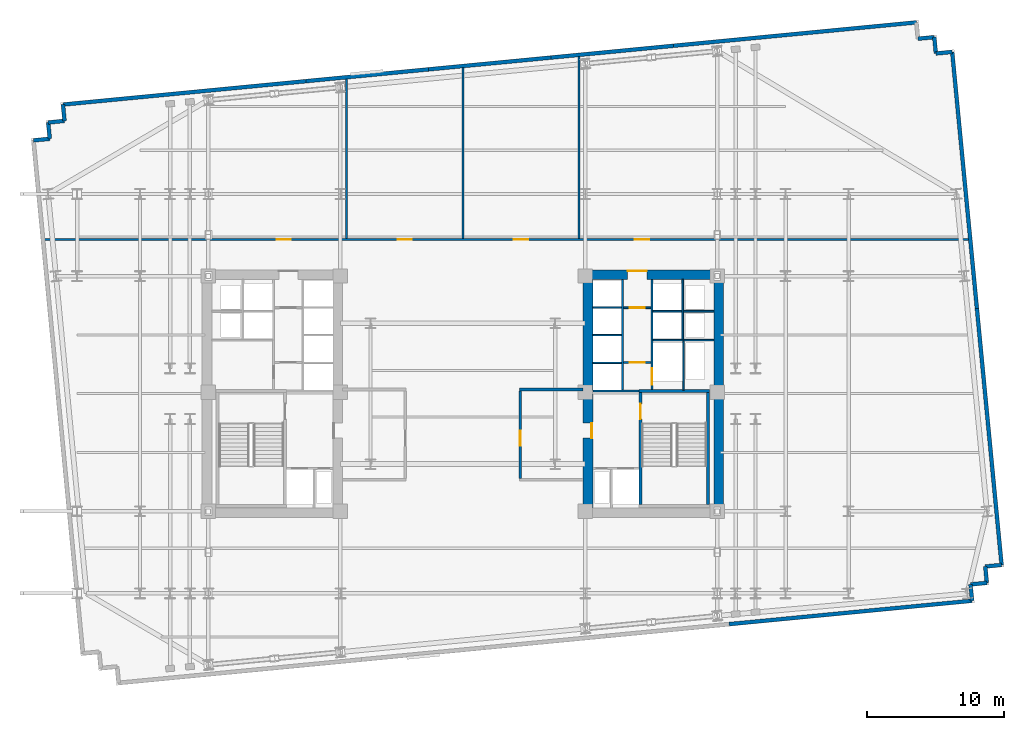
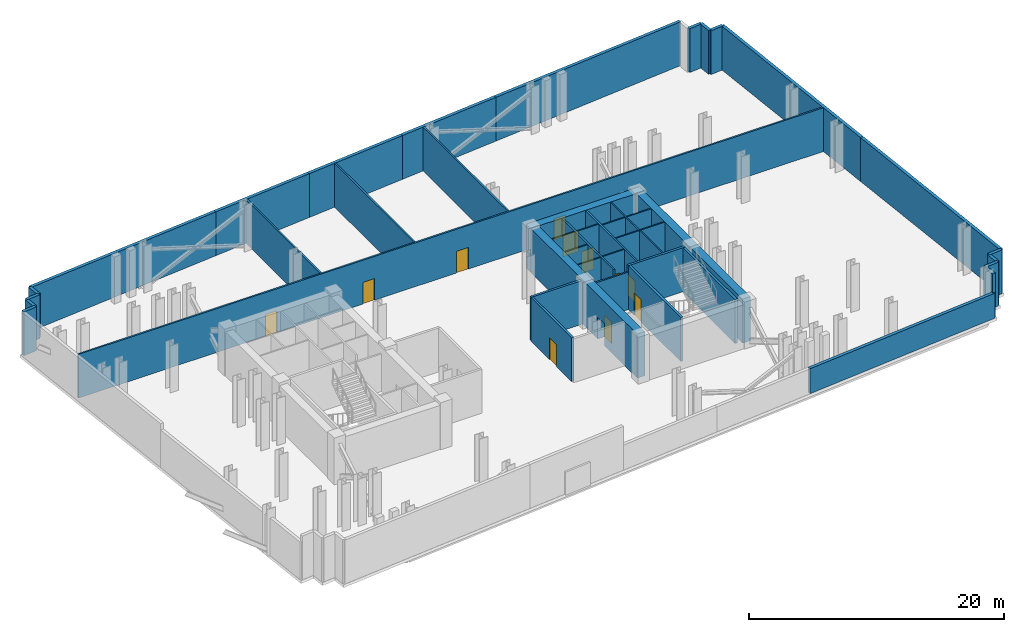
# One storey, part 6 of 9: 44 walls, 11 doors, 11 openings.
"""IFC4 building model written with IfcOpenShell, lengths in metres."""

from ifc_helpers import new_model, si_unit, direction, frame, frame_2d, origin, place, context, subcontext, project, spatial, rectangle, extrude, material, layer, layer_set, type_object, element, fill, save


model = new_model("IFC4")

# Units and contexts
model_context = context("Model", 3, precision=1e-05, world=origin(), true_north=direction((0.0, 1.0)))
body_context = subcontext(model_context, "Body", "Model", "MODEL_VIEW")
ifc_project = project(units=[si_unit("LENGTHUNIT", "METRE"), si_unit("AREAUNIT", "SQUARE_METRE"), si_unit("VOLUMEUNIT", "CUBIC_METRE"), si_unit("PLANEANGLEUNIT", "RADIAN"), si_unit("MASSUNIT", "GRAM", prefix="KILO")], contexts=[model_context])

# Site, building, storey
site_placement = place(None, origin())
site = spatial("IfcSite", under=ifc_project, at=site_placement, CompositionType="ELEMENT")
building_placement = place(site_placement, origin())
building = spatial("IfcBuilding", under=site, at=building_placement, Name="Velakula Bourse", CompositionType="ELEMENT")
storey_placement = place(building_placement, frame((0.0, 0.0, 112.14990234375)))
storey = spatial("IfcBuildingStorey", under=building, at=storey_placement, Name="L30", CompositionType="ELEMENT", Elevation=112.14990234375)

# Wall, opening, door
ifc_material_1 = material(Name="Concrete M50 (fck 50 MPa)", Category="concrete")
ifc_layer_1 = layer(ifc_material_1, 0.2099609375, Name="Concrete M50 (fck 50 MPa)", Category="concrete")
ifc_layer_set_1 = layer_set([ifc_layer_1], Name="Concrete M50 (fck 50 MPa)")
wall_type_1 = type_object("IfcWallType", Name="WL-CORE-210", PredefinedType="SHEAR", material=ifc_layer_set_1)
wall_1_placement = place(storey_placement, frame((12.9951171875, -8.10009765625, 0.0), z_axis=(0.0, 0.0, 1.0), x_axis=(0.0, 1.0, 0.0)))
wall_1 = element("IfcWall", 1, at=wall_1_placement, inside=storey, type_object=wall_type_1, Name="L30 Core E Stairwell Shear Wall IN", PredefinedType="SHEAR", context=body_context, shape_type="SweptSolid", body=[
    extrude(rectangle(XDim=8.2001953125, YDim=0.2099609375, at=frame_2d((4.10009765625, 0.0))), origin(), (0.0, 0.0, 1.0), 4.22021484375),
])
opening_1_placement = place(wall_1_placement, frame((6.25, 0.0, 0.0)))
opening_1 = element("IfcOpeningElement", 2, at=opening_1_placement, cuts=wall_1, Name="Opening D-STE1", PredefinedType="OPENING", context=body_context, shape_type="SweptSolid", body=[
    extrude(rectangle(XDim=1.10009765625, YDim=2.14990234375, at=frame_2d((0.550048828125, 1.074951171875))), frame((0.0, 0.114990234375, 0.0), z_axis=(0.0, -1.0, 0.0), x_axis=(1.0, 0.0, 0.0)), (0.0, 0.0, 1.0), 0.22998046875),
])
ifc_material_2 = material(Name="Galvanised painted hollow steel fire door", Category="steel")
door_type_1 = type_object("IfcDoorType", Name="DR-FD120-1100x2150", OperationType="NOTDEFINED", PredefinedType="DOOR", material=ifc_material_2)
door_1_placement = place(opening_1_placement, origin())
door_1 = element("IfcDoor", 3, at=door_1_placement, inside=storey, type_object=door_type_1, Name="L30 Stair ST-E1 Fire Door", OperationType="SINGLE_SWING_RIGHT", OverallHeight=2.14990234375, OverallWidth=1.10009765625, PredefinedType="DOOR", context=body_context, shape_type="SweptSolid", body=[
    extrude(rectangle(XDim=1.10009765625, YDim=2.14990234375, at=frame_2d((0.550048828125, 1.074951171875))), frame((0.0, 0.02490234375, 0.0), z_axis=(0.0, -1.0, 0.0), x_axis=(1.0, 0.0, 0.0)), (0.0, 0.0, 1.0), 0.050048828125),
])
fill(opening_1, door_1)

# Walls
wall_2_placement = place(storey_placement, frame((17.925048828125, -8.10009765625, 0.0), z_axis=(0.0, 0.0, 1.0), x_axis=(0.0, 1.0, 0.0)))
element("IfcWall", 4, at=wall_2_placement, inside=storey, type_object=wall_type_1, Name="L30 Core E Stairwell Shear Wall OUT", PredefinedType="SHEAR", context=body_context, shape_type="SweptSolid", body=[
    extrude(rectangle(XDim=8.2001953125, YDim=0.2099609375, at=frame_2d((4.10009765625, 0.0))), origin(), (0.0, 0.0, 1.0), 4.22021484375),
])
wall_3_placement = place(storey_placement, frame((18.030029296875, 0.205078125, 0.0), z_axis=(0.0, 0.0, 1.0), x_axis=(-1.0, 0.0, 0.0)))
element("IfcWall", 5, at=wall_3_placement, inside=storey, type_object=wall_type_1, Name="L30 Core E Stairwell Shear Wall N", PredefinedType="SHEAR", context=body_context, shape_type="SweptSolid", body=[
    extrude(rectangle(XDim=5.14013671875, YDim=0.2099609375, at=frame_2d((2.570068359375, 0.0))), origin(), (0.0, 0.0, 1.0), 4.22021484375),
])

# Wall, opening, door
ifc_material_3 = material(Name="Concrete M70 (fck 70 MPa)", Category="concrete")
ifc_layer_2 = layer(ifc_material_3, 0.699951171875, Name="Concrete M70 (fck 70 MPa)", Category="concrete")
ifc_layer_set_2 = layer_set([ifc_layer_2], Name="Concrete M70 (fck 70 MPa)")
wall_type_2 = type_object("IfcWallType", Name="WL-CORE-700", PredefinedType="SHEAR", material=ifc_layer_set_2)
wall_4_placement = place(storey_placement, frame((8.800048828125, 8.699951171875, 0.0), z_axis=(0.0, 0.0, 1.0), x_axis=(1.0, 0.0, 0.0)))
wall_4 = element("IfcWall", 6, at=wall_4_placement, inside=storey, type_object=wall_type_2, Name="L30 Core E Shear Wall N", PredefinedType="SHEAR", context=body_context, shape_type="SweptSolid", body=[
    extrude(rectangle(XDim=10.25, YDim=0.699951171875, at=frame_2d((5.125, 0.0))), origin(), (0.0, 0.0, 1.0), 4.22021484375),
])
opening_2_placement = place(wall_4_placement, frame((3.25, 0.0, 0.0)))
opening_2 = element("IfcOpeningElement", 7, at=opening_2_placement, cuts=wall_4, Name="Opening D-LLE", PredefinedType="OPENING", context=body_context, shape_type="SweptSolid", body=[
    extrude(rectangle(XDim=1.39990234375, YDim=2.050048828125, at=frame_2d((0.699951171875, 1.02490234375))), frame((0.0, 0.35986328125, 0.0), z_axis=(0.0, -1.0, 0.0), x_axis=(1.0, 0.0, 0.0)), (0.0, 0.0, 1.0), 0.719970703125),
])
ifc_material_4 = material(Name="Fire-rated hardwood flush architectural door", Category="wood")
door_type_2 = type_object("IfcDoorType", Name="DR-DBL-FD60-1400", OperationType="DOUBLE_DOOR_SINGLE_SWING", PredefinedType="DOOR", material=ifc_material_4)
door_2_placement = place(opening_2_placement, origin())
door_2 = element("IfcDoor", 8, at=door_2_placement, inside=storey, type_object=door_type_2, Name="L30 Core E Lift Lobby Corridor Double Door", OperationType="DOUBLE_DOOR_SINGLE_SWING", OverallHeight=2.050048828125, OverallWidth=1.39990234375, PredefinedType="DOOR", context=body_context, shape_type="SweptSolid", body=[
    extrude(rectangle(XDim=1.39990234375, YDim=2.050048828125, at=frame_2d((0.699951171875, 1.02490234375))), frame((0.0, 0.294921875, 0.0), z_axis=(0.0, -1.0, 0.0), x_axis=(1.0, 0.0, 0.0)), (0.0, 0.0, 1.0), 0.050048828125),
])
fill(opening_2, door_2)

wall_5_placement = place(storey_placement, frame((9.14990234375, -8.35009765625, 0.0), z_axis=(0.0, 0.0, 1.0), x_axis=(0.0, 1.0, 0.0)))
wall_5 = element("IfcWall", 9, at=wall_5_placement, inside=storey, type_object=wall_type_2, Name="L30 Core E Shear Wall W", PredefinedType="SHEAR", context=body_context, shape_type="SweptSolid", body=[
    extrude(rectangle(XDim=16.7001953125, YDim=0.699951171875, at=frame_2d((8.35009765625, 0.0))), origin(), (0.0, 0.0, 1.0), 4.22021484375),
])
opening_3_placement = place(wall_5_placement, frame((5.10009765625, 0.0, 0.0)))
opening_3 = element("IfcOpeningElement", 10, at=opening_3_placement, cuts=wall_5, Name="Opening D-FLE", PredefinedType="OPENING", context=body_context, shape_type="SweptSolid", body=[
    extrude(rectangle(XDim=1.10009765625, YDim=2.080078125, at=frame_2d((0.550048828125, 1.0400390625))), frame((0.0, 0.35986328125, 0.0), z_axis=(0.0, -1.0, 0.0), x_axis=(1.0, 0.0, 0.0)), (0.0, 0.0, 1.0), 0.719970703125),
])
door_type_3 = type_object("IfcDoorType", Name="DR-FD120-1100", OperationType="NOTDEFINED", PredefinedType="DOOR", material=ifc_material_2)
door_3_placement = place(opening_3_placement, origin())
door_3 = element("IfcDoor", 11, at=door_3_placement, inside=storey, type_object=door_type_3, Name="L30 Firefighting Lobby E Corridor Fire Door", OperationType="SINGLE_SWING_RIGHT", OverallHeight=2.080078125, OverallWidth=1.10009765625, PredefinedType="DOOR", context=body_context, shape_type="SweptSolid", body=[
    extrude(rectangle(XDim=1.10009765625, YDim=2.080078125, at=frame_2d((0.550048828125, 1.0400390625))), frame((0.0, -0.2548828125, 0.0), z_axis=(0.0, -1.0, 0.0), x_axis=(1.0, 0.0, 0.0)), (0.0, 0.0, 1.0), 0.050048828125),
])
fill(opening_3, door_3)

# Walls
wall_6_placement = place(storey_placement, frame((18.699951171875, -8.35009765625, 0.0), z_axis=(0.0, 0.0, 1.0), x_axis=(0.0, 1.0, 0.0)))
element("IfcWall", 12, at=wall_6_placement, inside=storey, type_object=wall_type_2, Name="L30 Core E Shear Wall E", PredefinedType="SHEAR", context=body_context, shape_type="SweptSolid", body=[
    extrude(rectangle(XDim=16.7001953125, YDim=0.699951171875, at=frame_2d((8.35009765625, 0.0))), origin(), (0.0, 0.0, 1.0), 4.22021484375),
])
ifc_material_5 = material(Name="Red kilned clay facing brick masonry", Category="masonry")
ifc_layer_3 = layer(ifc_material_5, 0.280029296875, Name="Red kilned clay facing brick masonry", Category="masonry")
ifc_layer_set_3 = layer_set([ifc_layer_3], Name="Red kilned clay facing brick masonry")
wall_type_3 = type_object("IfcWallType", Name="WL-EXT-BRK-280", PredefinedType="STANDARD", material=ifc_layer_set_3)
wall_7_placement = place(storey_placement, frame((37.2314453125, -15.138427734375, 0.0), z_axis=(0.0, 0.0, 1.0), x_axis=(-0.995395780835, -0.095850088663, 0.0)))
element("IfcWall", 13, at=wall_7_placement, inside=storey, type_object=wall_type_3, Name="L30 S Brick Spandrel Wall B5", PredefinedType="STANDARD", context=body_context, shape_type="SweptSolid", body=[
    extrude(rectangle(XDim=17.83984375, YDim=0.280029296875, at=frame_2d((8.919921875, 0.0))), origin(), (0.0, 0.0, 1.0), 2.39501953125),
])
wall_8_placement = place(storey_placement, frame((-29.2314453125, 21.138427734375, 0.0), z_axis=(0.0, 0.0, 1.0), x_axis=(0.995395780835, 0.095850088663, 0.0)))
element("IfcWall", 14, at=wall_8_placement, inside=storey, type_object=wall_type_3, Name="L30 N Brick Spandrel Wall B1", PredefinedType="STANDARD", context=body_context, shape_type="SweptSolid", body=[
    extrude(rectangle(XDim=17.83984375, YDim=0.280029296875, at=frame_2d((8.919921875, 0.0))), origin(), (0.0, 0.0, 1.0), 4.2001953125),
])
wall_9_placement = place(storey_placement, frame((-11.4736328125, 22.848388671875, 0.0), z_axis=(0.0, 0.0, 1.0), x_axis=(0.995396794462, 0.09583956164, 0.0)))
element("IfcWall", 15, at=wall_9_placement, inside=storey, type_object=wall_type_3, Name="L30 N Brick Spandrel Wall B2", PredefinedType="STANDARD", context=body_context, shape_type="SweptSolid", body=[
    extrude(rectangle(XDim=9.0, YDim=0.280029296875, at=frame_2d((4.5, 0.0))), origin(), (0.0, 0.0, 1.0), 4.2001953125),
])
wall_10_placement = place(storey_placement, frame((-2.51513671875, 23.7109375, 0.0), z_axis=(0.0, 0.0, 1.0), x_axis=(0.995397043619, 0.095836973841, 0.0)))
element("IfcWall", 16, at=wall_10_placement, inside=storey, type_object=wall_type_3, Name="L30 N Brick Spandrel Wall B3", PredefinedType="STANDARD", context=body_context, shape_type="SweptSolid", body=[
    extrude(rectangle(XDim=9.000244140625, YDim=0.280029296875, at=frame_2d((4.5, 0.0))), origin(), (0.0, 0.0, 1.0), 4.2001953125),
])
wall_11_placement = place(storey_placement, frame((6.443603515625, 24.573486328125, 0.0), z_axis=(0.0, 0.0, 1.0), x_axis=(0.995396794462, 0.09583956164, 0.0)))
element("IfcWall", 17, at=wall_11_placement, inside=storey, type_object=wall_type_3, Name="L30 N Brick Spandrel Wall B4", PredefinedType="STANDARD", context=body_context, shape_type="SweptSolid", body=[
    extrude(rectangle(XDim=9.0, YDim=0.280029296875, at=frame_2d((4.5, 0.0))), origin(), (0.0, 0.0, 1.0), 4.2001953125),
])
wall_12_placement = place(storey_placement, frame((15.402099609375, 25.43603515625, 0.0), z_axis=(0.0, 0.0, 1.0), x_axis=(0.995395780835, 0.095850088663, 0.0)))
element("IfcWall", 18, at=wall_12_placement, inside=storey, type_object=wall_type_3, Name="L30 N Brick Spandrel Wall B5", PredefinedType="STANDARD", context=body_context, shape_type="SweptSolid", body=[
    extrude(rectangle(XDim=17.83984375, YDim=0.280029296875, at=frame_2d((8.919921875, 0.0))), origin(), (0.0, 0.0, 1.0), 4.2001953125),
])
wall_13_placement = place(storey_placement, frame((37.584716796875, 6.23388671875, 0.0), z_axis=(0.0, 0.0, 1.0), x_axis=(0.095841297881, -0.99539662729, 0.0)))
element("IfcWall", 19, at=wall_13_placement, inside=storey, type_object=wall_type_3, Name="L30 E Brick End Wall W1", PredefinedType="STANDARD", context=body_context, shape_type="SweptSolid", body=[
    extrude(rectangle(XDim=18.840087890625, YDim=0.280029296875, at=frame_2d((9.419921875, 0.0))), origin(), (0.0, 0.0, 1.0), 4.2001953125),
])
wall_14_placement = place(storey_placement, frame((35.779052734375, 24.987060546875, 0.0), z_axis=(0.0, 0.0, 1.0), x_axis=(0.095842534142, -0.995396508256, 0.0)))
element("IfcWall", 20, at=wall_14_placement, inside=storey, type_object=wall_type_3, Name="L30 E Brick End Wall W2", PredefinedType="STANDARD", context=body_context, shape_type="SweptSolid", body=[
    extrude(rectangle(XDim=18.83984375, YDim=0.280029296875, at=frame_2d((9.419921875, 0.0))), origin(), (0.0, 0.0, 1.0), 4.2001953125),
])
for number, where, z_axis, x_axis, name in (
    (21, (37.2314453125, -15.138427734375, 0.0), (0.0, 0.0, 1.0), (-0.095817067274, 0.995398960025, 0.0), "L30 Serrated Corner Brick Wall SE-1"),
    (22, (37.116455078125, -13.94384765625, 0.0), (0.0, 0.0, 1.0), (0.995398960025, 0.095817067274, 0.0), "L30 Serrated Corner Brick Wall SE-2"),
):
    element("IfcWall", number, at=place(storey_placement, frame(where, z_axis=z_axis, x_axis=x_axis)), inside=storey, type_object=wall_type_3, Name=name, PredefinedType="STANDARD", context=body_context, shape_type="SweptSolid", body=[
        extrude(rectangle(XDim=1.2001953125, YDim=0.280029296875, at=frame_2d((0.60009765625, 0.0))), origin(), (0.0, 0.0, 1.0), 4.2001953125),
    ])
for number, where, z_axis, x_axis, name in (
    (23, (38.31103515625, -13.828857421875, 0.0), (0.0, 0.0, 1.0), (-0.095836473879, 0.995397091755, 0.0), "L30 Serrated Corner Brick Wall SE-3"),
    (24, (38.196044921875, -12.634521484375, 0.0), (0.0, 0.0, 1.0), (0.995397091755, 0.095836473879, 0.0), "L30 Serrated Corner Brick Wall SE-4"),
):
    element("IfcWall", number, at=place(storey_placement, frame(where, z_axis=z_axis, x_axis=x_axis)), inside=storey, type_object=wall_type_3, Name=name, PredefinedType="STANDARD", context=body_context, shape_type="SweptSolid", body=[
        extrude(rectangle(XDim=1.199951171875, YDim=0.280029296875, at=frame_2d((0.60009765625, 0.0))), origin(), (0.0, 0.0, 1.0), 4.2001953125),
    ])
for number, where, z_axis, x_axis, name in (
    (25, (35.779052734375, 24.987060546875, 0.0), (0.0, 0.0, 1.0), (-0.995398960025, -0.095817067274, 0.0), "L30 Serrated Corner Brick Wall NE-1"),
    (26, (34.58447265625, 24.8720703125, 0.0), (0.0, 0.0, 1.0), (-0.095817067274, 0.995398960025, 0.0), "L30 Serrated Corner Brick Wall NE-2"),
    (27, (34.469482421875, 26.066650390625, 0.0), (0.0, 0.0, 1.0), (-0.995398960025, -0.095817067274, 0.0), "L30 Serrated Corner Brick Wall NE-3"),
    (28, (-29.2314453125, 21.138427734375, 0.0), (0.0, 0.0, 1.0), (0.095817067274, -0.995398960025, 0.0), "L30 Serrated Corner Brick Wall NW-1"),
    (29, (-29.116455078125, 19.94384765625, 0.0), (0.0, 0.0, 1.0), (-0.995398960025, -0.095817067274, 0.0), "L30 Serrated Corner Brick Wall NW-2"),
):
    element("IfcWall", number, at=place(storey_placement, frame(where, z_axis=z_axis, x_axis=x_axis)), inside=storey, type_object=wall_type_3, Name=name, PredefinedType="STANDARD", context=body_context, shape_type="SweptSolid", body=[
        extrude(rectangle(XDim=1.2001953125, YDim=0.280029296875, at=frame_2d((0.60009765625, 0.0))), origin(), (0.0, 0.0, 1.0), 4.2001953125),
    ])
for number, where, z_axis, x_axis, name in (
    (30, (-30.31103515625, 19.828857421875, 0.0), (0.0, 0.0, 1.0), (0.095836473879, -0.995397091755, 0.0), "L30 Serrated Corner Brick Wall NW-3"),
    (31, (-30.196044921875, 18.634521484375, 0.0), (0.0, 0.0, 1.0), (-0.995397091755, -0.095836473879, 0.0), "L30 Serrated Corner Brick Wall NW-4"),
):
    element("IfcWall", number, at=place(storey_placement, frame(where, z_axis=z_axis, x_axis=x_axis)), inside=storey, type_object=wall_type_3, Name=name, PredefinedType="STANDARD", context=body_context, shape_type="SweptSolid", body=[
        extrude(rectangle(XDim=1.199951171875, YDim=0.280029296875, at=frame_2d((0.60009765625, 0.0))), origin(), (0.0, 0.0, 1.0), 4.2001953125),
    ])

# Wall, opening, door
ifc_material_6 = material(Name="Fire-rated double-layer gypsum drywall partition", Category="gypsum")
ifc_layer_4 = layer(ifc_material_6, 0.1201171875, Name="Fire-rated double-layer gypsum drywall partition", Category="gypsum")
ifc_layer_set_4 = layer_set([ifc_layer_4], Name="Fire-rated double-layer gypsum drywall partition")
wall_type_4 = type_object("IfcWallType", Name="WL-PART-120", PredefinedType="STANDARD", material=ifc_layer_set_4)
wall_15_placement = place(storey_placement, frame((11.75, 2.280029296875, 0.0), z_axis=(0.0, 0.0, 1.0), x_axis=(1.0, 0.0, 0.0)))
wall_15 = element("IfcWall", 32, at=wall_15_placement, inside=storey, type_object=wall_type_4, Name="L30 Interior Partition WL-CRE-L30-LL-K3A", PredefinedType="STANDARD", context=body_context, shape_type="SweptSolid", body=[
    extrude(rectangle(XDim=2.0, YDim=0.1201171875, at=frame_2d((1.0, 0.0))), origin(), (0.0, 0.0, 1.0), 4.2001953125),
])
opening_4_placement = place(wall_15_placement, frame((0.449951171875, 0.0, 0.0)))
opening_4 = element("IfcOpeningElement", 33, at=opening_4_placement, cuts=wall_15, Name="Opening D-LK3", PredefinedType="OPENING", context=body_context, shape_type="SweptSolid", body=[
    extrude(rectangle(XDim=1.10009765625, YDim=2.10009765625, at=frame_2d((0.550048828125, 1.050048828125))), frame((0.0, 0.070068359375, 0.0), z_axis=(0.0, -1.0, 0.0), x_axis=(1.0, 0.0, 0.0)), (0.0, 0.0, 1.0), 0.14013671875),
])
door_type_4 = type_object("IfcDoorType", Name="DR-FD60-1100x2100", OperationType="NOTDEFINED", PredefinedType="DOOR", material=ifc_material_4)
door_4_placement = place(opening_4_placement, origin())
door_4 = element("IfcDoor", 34, at=door_4_placement, inside=storey, type_object=door_type_4, Name="L30 Core E Lift Lobby Vestibule Door A", OperationType="SINGLE_SWING_RIGHT", OverallHeight=2.10009765625, OverallWidth=1.10009765625, PredefinedType="DOOR", context=body_context, shape_type="SweptSolid", body=[
    extrude(rectangle(XDim=1.10009765625, YDim=2.10009765625, at=frame_2d((0.550048828125, 1.050048828125))), frame((0.0, 0.02490234375, 0.0), z_axis=(0.0, -1.0, 0.0), x_axis=(1.0, 0.0, 0.0)), (0.0, 0.0, 1.0), 0.050048828125),
])
fill(opening_4, door_4)

wall_16_placement = place(storey_placement, frame((11.75, 6.280029296875, 0.0), z_axis=(0.0, 0.0, 1.0), x_axis=(1.0, 0.0, 0.0)))
wall_16 = element("IfcWall", 35, at=wall_16_placement, inside=storey, type_object=wall_type_4, Name="L30 Interior Partition WL-CRE-L30-LL-K3B", PredefinedType="STANDARD", context=body_context, shape_type="SweptSolid", body=[
    extrude(rectangle(XDim=2.0, YDim=0.1201171875, at=frame_2d((1.0, 0.0))), origin(), (0.0, 0.0, 1.0), 4.2001953125),
])
opening_5_placement = place(wall_16_placement, frame((0.449951171875, 0.0, 0.0)))
opening_5 = element("IfcOpeningElement", 36, at=opening_5_placement, cuts=wall_16, Name="Opening D-LK3", PredefinedType="OPENING", context=body_context, shape_type="SweptSolid", body=[
    extrude(rectangle(XDim=1.10009765625, YDim=2.10009765625, at=frame_2d((0.550048828125, 1.050048828125))), frame((0.0, 0.070068359375, 0.0), z_axis=(0.0, -1.0, 0.0), x_axis=(1.0, 0.0, 0.0)), (0.0, 0.0, 1.0), 0.14013671875),
])
door_5_placement = place(opening_5_placement, origin())
door_5 = element("IfcDoor", 37, at=door_5_placement, inside=storey, type_object=door_type_4, Name="L30 Core E Lift Lobby Vestibule Door B", OperationType="SINGLE_SWING_RIGHT", OverallHeight=2.10009765625, OverallWidth=1.10009765625, PredefinedType="DOOR", context=body_context, shape_type="SweptSolid", body=[
    extrude(rectangle(XDim=1.10009765625, YDim=2.10009765625, at=frame_2d((0.550048828125, 1.050048828125))), frame((0.0, 0.02490234375, 0.0), z_axis=(0.0, -1.0, 0.0), x_axis=(1.0, 0.0, 0.0)), (0.0, 0.0, 1.0), 0.050048828125),
])
fill(opening_5, door_5)

# Walls
for number, where, z_axis, x_axis, name in (
    (38, (9.5, 2.2548828125, 0.0), (0.0, 0.0, 1.0), (1.0, 0.0, 0.0), "L30 Interior Partition WL-CRE-L30-BDIV-0"),
    (39, (9.5, 4.284912109375, 0.0), (0.0, 0.0, 1.0), (1.0, 0.0, 0.0), "L30 Interior Partition WL-CRE-L30-BDIV-1"),
    (40, (9.5, 6.31494140625, 0.0), (0.0, 0.0, 1.0), (1.0, 0.0, 0.0), "L30 Interior Partition WL-CRE-L30-BDIV-2"),
):
    element("IfcWall", number, at=place(storey_placement, frame(where, z_axis=z_axis, x_axis=x_axis)), inside=storey, type_object=wall_type_4, Name=name, PredefinedType="STANDARD", context=body_context, shape_type="SweptSolid", body=[
        extrude(rectangle(XDim=2.10009765625, YDim=0.110107421875, at=frame_2d((1.050048828125, 0.0))), origin(), (0.0, 0.0, 1.0), 4.2001953125),
    ])
wall_17_placement = place(storey_placement, frame((13.89990234375, 3.919921875, 0.0), z_axis=(0.0, 0.0, 1.0), x_axis=(1.0, 0.0, 0.0)))
element("IfcWall", 41, at=wall_17_placement, inside=storey, type_object=wall_type_4, Name="L30 Interior Partition WL-CRE-L30-HI-S", PredefinedType="STANDARD", context=body_context, shape_type="SweptSolid", body=[
    extrude(rectangle(XDim=4.4501953125, YDim=0.1201171875, at=frame_2d((2.22509765625, 0.0))), origin(), (0.0, 0.0, 1.0), 4.2001953125),
])
wall_18_placement = place(storey_placement, frame((16.14990234375, 6.030029296875, 0.0), z_axis=(0.0, 0.0, 1.0), x_axis=(1.0, 0.0, 0.0)))
element("IfcWall", 42, at=wall_18_placement, inside=storey, type_object=wall_type_4, Name="L30 Interior Partition WL-CRE-L30-RIS-MID", PredefinedType="STANDARD", context=body_context, shape_type="SweptSolid", body=[
    extrude(rectangle(XDim=2.2001953125, YDim=0.1201171875, at=frame_2d((1.10009765625, 0.0))), origin(), (0.0, 0.0, 1.0), 4.2001953125),
])
wall_19_placement = place(storey_placement, frame((16.074951171875, 3.97998046875, 0.0), z_axis=(0.0, 0.0, 1.0), x_axis=(0.0, 1.0, 0.0)))
element("IfcWall", 43, at=wall_19_placement, inside=storey, type_object=wall_type_4, Name="L30 Interior Partition WL-CRE-L30-RIS-F", PredefinedType="STANDARD", context=body_context, shape_type="SweptSolid", body=[
    extrude(rectangle(XDim=4.3701171875, YDim=0.1201171875, at=frame_2d((2.18505859375, 0.0))), origin(), (0.0, 0.0, 1.0), 4.2001953125),
])
wall_20_placement = place(storey_placement, frame((13.89990234375, 6.030029296875, 0.0), z_axis=(0.0, 0.0, 1.0), x_axis=(1.0, 0.0, 0.0)))
element("IfcWall", 44, at=wall_20_placement, inside=storey, type_object=wall_type_4, Name="L30 Interior Partition WL-CRE-L30-HI-DIV", PredefinedType="STANDARD", context=body_context, shape_type="SweptSolid", body=[
    extrude(rectangle(XDim=2.10009765625, YDim=0.1201171875, at=frame_2d((1.050048828125, 0.0))), origin(), (0.0, 0.0, 1.0), 4.2001953125),
])
wall_21_placement = place(storey_placement, frame((16.125, 0.27001953125, 0.0), z_axis=(0.0, 0.0, 1.0), x_axis=(0.0, 1.0, 0.0)))
element("IfcWall", 45, at=wall_21_placement, inside=storey, type_object=wall_type_4, Name="L30 Interior Partition WL-CRE-L30-SVL-E", PredefinedType="STANDARD", context=body_context, shape_type="SweptSolid", body=[
    extrude(rectangle(XDim=3.590087890625, YDim=0.1201171875, at=frame_2d((1.794921875, 0.0))), origin(), (0.0, 0.0, 1.0), 4.2001953125),
])
ifc_material_7 = material(Name="Autoclaved aerated concrete blockwork masonry", Category="masonry")
ifc_layer_5 = layer(ifc_material_7, 0.14990234375, Name="Autoclaved aerated concrete blockwork masonry", Category="masonry")
ifc_layer_set_5 = layer_set([ifc_layer_5], Name="Autoclaved aerated concrete blockwork masonry")
wall_type_5 = type_object("IfcWallType", Name="WL-SHAFT-150", PredefinedType="STANDARD", material=ifc_layer_set_5)
wall_22_placement = place(storey_placement, frame((9.5, 0.18994140625, 0.0), z_axis=(0.0, 0.0, 1.0), x_axis=(1.0, 0.0, 0.0)))
element("IfcWall", 46, at=wall_22_placement, inside=storey, type_object=wall_type_5, Name="L30 Interior Partition WL-CRE-L30-FF-TOP", PredefinedType="STANDARD", context=body_context, shape_type="SweptSolid", body=[
    extrude(rectangle(XDim=3.389892578125, YDim=0.14990234375, at=frame_2d((1.69482421875, 0.0))), origin(), (0.0, 0.0, 1.0), 3.59521484375),
])
wall_23_placement = place(storey_placement, frame((11.675048828125, 0.27001953125, 0.0), z_axis=(0.0, 0.0, 1.0), x_axis=(0.0, 1.0, 0.0)))
element("IfcWall", 47, at=wall_23_placement, inside=storey, type_object=wall_type_5, Name="L30 Interior Partition WL-CRE-L30-BANK-F", PredefinedType="STANDARD", context=body_context, shape_type="SweptSolid", body=[
    extrude(rectangle(XDim=8.080078125, YDim=0.14990234375, at=frame_2d((4.0400390625, 0.0))), origin(), (0.0, 0.0, 1.0), 4.2001953125),
])

# Wall, opening, door
wall_24_placement = place(storey_placement, frame((13.824951171875, 0.27001953125, 0.0), z_axis=(0.0, 0.0, 1.0), x_axis=(0.0, 1.0, 0.0)))
wall_24 = element("IfcWall", 48, at=wall_24_placement, inside=storey, type_object=wall_type_5, Name="L30 Interior Partition WL-CRE-L30-OUT-F", PredefinedType="STANDARD", context=body_context, shape_type="SweptSolid", body=[
    extrude(rectangle(XDim=8.080078125, YDim=0.14990234375, at=frame_2d((4.0400390625, 0.0))), origin(), (0.0, 0.0, 1.0), 4.2001953125),
])
opening_6_placement = place(wall_24_placement, frame((0.3798828125, 0.0, 0.0)))
opening_6 = element("IfcOpeningElement", 49, at=opening_6_placement, cuts=wall_24, Name="Opening LD-SVL1", PredefinedType="OPENING", context=body_context, shape_type="SweptSolid", body=[
    extrude(rectangle(XDim=1.199951171875, YDim=2.10009765625, at=frame_2d((0.60009765625, 1.050048828125))), frame((0.0, 0.0849609375, 0.0), z_axis=(0.0, -1.0, 0.0), x_axis=(1.0, 0.0, 0.0)), (0.0, 0.0, 1.0), 0.169921875),
])
ifc_material_8 = material(Name="Brushed grade 316 stainless steel", Category="steel")
door_type_5 = type_object("IfcDoorType", Name="DR-SLIDE-LD-1200", OperationType="DOUBLE_DOOR_SLIDING", PredefinedType="DOOR", material=ifc_material_8)
door_6_placement = place(opening_6_placement, origin())
door_6 = element("IfcDoor", 50, at=door_6_placement, inside=storey, type_object=door_type_5, Name="L30 Service Lift SVL-1 Sliding Landing Door", OperationType="DOUBLE_DOOR_SLIDING", OverallHeight=2.10009765625, OverallWidth=1.199951171875, PredefinedType="DOOR", context=body_context, shape_type="SweptSolid", body=[
    extrude(rectangle(XDim=1.199951171875, YDim=2.10009765625, at=frame_2d((0.60009765625, 1.050048828125))), frame((0.0, 0.02490234375, 0.0), z_axis=(0.0, -1.0, 0.0), x_axis=(1.0, 0.0, 0.0)), (0.0, 0.0, 1.0), 0.050048828125),
])
fill(opening_6, door_6)

# Wall, openings, doors
wall_25_placement = place(storey_placement, frame((-30.57275390625, 11.280029296875, 0.0), z_axis=(0.0, 0.0, 1.0), x_axis=(1.0, 0.0, 0.0)))
wall_25 = element("IfcWall", 51, at=wall_25_placement, inside=storey, type_object=wall_type_5, Name="L30 Interior Partition WL-PLT-L30-NC", PredefinedType="STANDARD", context=body_context, shape_type="SweptSolid", body=[
    extrude(rectangle(XDim=67.551025390625, YDim=0.14990234375, at=frame_2d((33.775390625, 0.0))), origin(), (0.0, 0.0, 1.0), 4.2001953125),
])
opening_7_placement = place(wall_25_placement, frame((16.957763671875, 0.0, 0.0)))
opening_7 = element("IfcOpeningElement", 52, at=opening_7_placement, cuts=wall_25, Name="Opening D-PL1", PredefinedType="OPENING", context=body_context, shape_type="SweptSolid", body=[
    extrude(rectangle(XDim=1.050048828125, YDim=2.080078125, at=frame_2d((0.52490234375, 1.0400390625))), frame((0.0, 0.0849609375, 0.0), z_axis=(0.0, -1.0, 0.0), x_axis=(1.0, 0.0, 0.0)), (0.0, 0.0, 1.0), 0.169921875),
])
opening_8_placement = place(wall_25_placement, frame((25.7978515625, 0.0, 0.0)))
opening_8 = element("IfcOpeningElement", 53, at=opening_8_placement, cuts=wall_25, Name="Opening D-PL1", PredefinedType="OPENING", context=body_context, shape_type="SweptSolid", body=[
    extrude(rectangle(XDim=1.050048828125, YDim=2.080078125, at=frame_2d((0.52490234375, 1.0400390625))), frame((0.0, 0.0849609375, 0.0), z_axis=(0.0, -1.0, 0.0), x_axis=(1.0, 0.0, 0.0)), (0.0, 0.0, 1.0), 0.169921875),
])
opening_9_placement = place(wall_25_placement, frame((34.2978515625, 0.0, 0.0)))
opening_9 = element("IfcOpeningElement", 54, at=opening_9_placement, cuts=wall_25, Name="Opening D-PL1", PredefinedType="OPENING", context=body_context, shape_type="SweptSolid", body=[
    extrude(rectangle(XDim=1.050048828125, YDim=2.080078125, at=frame_2d((0.52490234375, 1.0400390625))), frame((0.0, 0.0849609375, 0.0), z_axis=(0.0, -1.0, 0.0), x_axis=(1.0, 0.0, 0.0)), (0.0, 0.0, 1.0), 0.169921875),
])
opening_10_placement = place(wall_25_placement, frame((43.1376953125, 0.0, 0.0)))
opening_10 = element("IfcOpeningElement", 55, at=opening_10_placement, cuts=wall_25, Name="Opening D-PL1", PredefinedType="OPENING", context=body_context, shape_type="SweptSolid", body=[
    extrude(rectangle(XDim=1.050048828125, YDim=2.080078125, at=frame_2d((0.52490234375, 1.0400390625))), frame((0.0, 0.0849609375, 0.0), z_axis=(0.0, -1.0, 0.0), x_axis=(1.0, 0.0, 0.0)), (0.0, 0.0, 1.0), 0.169921875),
])
door_type_6 = type_object("IfcDoorType", Name="DR-FD120-1050x2080", OperationType="NOTDEFINED", PredefinedType="DOOR", material=ifc_material_2)
door_7_placement = place(opening_7_placement, origin())
door_7 = element("IfcDoor", 56, at=door_7_placement, inside=storey, type_object=door_type_6, Name="L30 Plate Heat-Exchanger Chiller Plant Room Door", OperationType="SINGLE_SWING_LEFT", OverallHeight=2.080078125, OverallWidth=1.050048828125, PredefinedType="DOOR", context=body_context, shape_type="SweptSolid", body=[
    extrude(rectangle(XDim=1.050048828125, YDim=2.080078125, at=frame_2d((0.52490234375, 1.0400390625))), frame((0.0, 0.02490234375, 0.0), z_axis=(0.0, -1.0, 0.0), x_axis=(1.0, 0.0, 0.0)), (0.0, 0.0, 1.0), 0.050048828125),
])
fill(opening_7, door_7)
door_8_placement = place(opening_8_placement, origin())
door_8 = element("IfcDoor", 57, at=door_8_placement, inside=storey, type_object=door_type_6, Name="L30 Air Handling Unit Mechanical Room Door", OperationType="SINGLE_SWING_RIGHT", OverallHeight=2.080078125, OverallWidth=1.050048828125, PredefinedType="DOOR", context=body_context, shape_type="SweptSolid", body=[
    extrude(rectangle(XDim=1.050048828125, YDim=2.080078125, at=frame_2d((0.52490234375, 1.0400390625))), frame((0.0, 0.02490234375, 0.0), z_axis=(0.0, -1.0, 0.0), x_axis=(1.0, 0.0, 0.0)), (0.0, 0.0, 1.0), 0.050048828125),
])
fill(opening_8, door_8)
door_9_placement = place(opening_9_placement, origin())
door_9 = element("IfcDoor", 58, at=door_9_placement, inside=storey, type_object=door_type_6, Name="L30 High-Voltage Transformer Switchroom Door", OperationType="SINGLE_SWING_LEFT", OverallHeight=2.080078125, OverallWidth=1.050048828125, PredefinedType="DOOR", context=body_context, shape_type="SweptSolid", body=[
    extrude(rectangle(XDim=1.050048828125, YDim=2.080078125, at=frame_2d((0.52490234375, 1.0400390625))), frame((0.0, 0.02490234375, 0.0), z_axis=(0.0, -1.0, 0.0), x_axis=(1.0, 0.0, 0.0)), (0.0, 0.0, 1.0), 0.050048828125),
])
fill(opening_9, door_9)
door_10_placement = place(opening_10_placement, origin())
door_10 = element("IfcDoor", 59, at=door_10_placement, inside=storey, type_object=door_type_6, Name="L30 Fire Break-Tank and Booster Pump Plant Room Door", OperationType="SINGLE_SWING_RIGHT", OverallHeight=2.080078125, OverallWidth=1.050048828125, PredefinedType="DOOR", context=body_context, shape_type="SweptSolid", body=[
    extrude(rectangle(XDim=1.050048828125, YDim=2.080078125, at=frame_2d((0.52490234375, 1.0400390625))), frame((0.0, 0.02490234375, 0.0), z_axis=(0.0, -1.0, 0.0), x_axis=(1.0, 0.0, 0.0)), (0.0, 0.0, 1.0), 0.050048828125),
])
fill(opening_10, door_10)

# Walls
wall_26_placement = place(storey_placement, frame((-8.5, 11.35009765625, 0.0), z_axis=(0.0, 0.0, 1.0), x_axis=(0.0, 1.0, 0.0)))
element("IfcWall", 60, at=wall_26_placement, inside=storey, type_object=wall_type_5, Name="L30 Interior Partition WL-PLT-L30-DV-11", PredefinedType="STANDARD", context=body_context, shape_type="SweptSolid", body=[
    extrude(rectangle(XDim=11.6640625, YDim=0.14990234375, at=frame_2d((5.83203125, 0.0))), origin(), (0.0, 0.0, 1.0), 4.2001953125),
])
wall_27_placement = place(storey_placement, frame((0.0, 11.35009765625, 0.0), z_axis=(0.0, 0.0, 1.0), x_axis=(0.0, 1.0, 0.0)))
element("IfcWall", 61, at=wall_27_placement, inside=storey, type_object=wall_type_5, Name="L30 Interior Partition WL-PLT-L30-DV-20", PredefinedType="STANDARD", context=body_context, shape_type="SweptSolid", body=[
    extrude(rectangle(XDim=12.482421875, YDim=0.14990234375, at=frame_2d((6.2412109375, 0.0))), origin(), (0.0, 0.0, 1.0), 4.2001953125),
])
wall_28_placement = place(storey_placement, frame((8.5, 11.35009765625, 0.0), z_axis=(0.0, 0.0, 1.0), x_axis=(0.0, 1.0, 0.0)))
element("IfcWall", 62, at=wall_28_placement, inside=storey, type_object=wall_type_5, Name="L30 Interior Partition WL-PLT-L30-DV-28", PredefinedType="STANDARD", context=body_context, shape_type="SweptSolid", body=[
    extrude(rectangle(XDim=13.30078125, YDim=0.14990234375, at=frame_2d((6.650390625, 0.0))), origin(), (0.0, 0.0, 1.0), 4.2001953125),
])

# Wall, opening, door
ifc_layer_6 = layer(ifc_material_7, 0.199951171875, Name="Autoclaved aerated concrete blockwork masonry", Category="masonry")
ifc_layer_set_6 = layer_set([ifc_layer_6], Name="Autoclaved aerated concrete blockwork masonry")
wall_type_6 = type_object("IfcWallType", Name="WL-SHAFT-200", PredefinedType="STANDARD", material=ifc_layer_set_6)
wall_29_placement = place(storey_placement, frame((4.199951171875, -6.199951171875, 0.0), z_axis=(0.0, 0.0, 1.0), x_axis=(0.0, 1.0, 0.0)))
wall_29 = element("IfcWall", 63, at=wall_29_placement, inside=storey, type_object=wall_type_6, Name="L30 Interior Partition WL-REF-L30-E", PredefinedType="STANDARD", context=body_context, shape_type="SweptSolid", body=[
    extrude(rectangle(XDim=6.39990234375, YDim=0.199951171875, at=frame_2d((3.199951171875, 0.0))), origin(), (0.0, 0.0, 1.0), 4.2001953125),
])
opening_11_placement = place(wall_29_placement, frame((2.39990234375, 0.0, 0.0)))
opening_11 = element("IfcOpeningElement", 64, at=opening_11_placement, cuts=wall_29, Name="Opening D-RF1", PredefinedType="OPENING", context=body_context, shape_type="SweptSolid", body=[
    extrude(rectangle(XDim=1.10009765625, YDim=2.080078125, at=frame_2d((0.550048828125, 1.0400390625))), frame((0.0, 0.10986328125, 0.0), z_axis=(0.0, -1.0, 0.0), x_axis=(1.0, 0.0, 0.0)), (0.0, 0.0, 1.0), 0.219970703125),
])
door_11_placement = place(opening_11_placement, origin())
door_11 = element("IfcDoor", 65, at=door_11_placement, inside=storey, type_object=door_type_3, Name="L30 East Refuge Area Fire Door", OperationType="SINGLE_SWING_RIGHT", OverallHeight=2.080078125, OverallWidth=1.10009765625, PredefinedType="DOOR", context=body_context, shape_type="SweptSolid", body=[
    extrude(rectangle(XDim=1.10009765625, YDim=2.080078125, at=frame_2d((0.550048828125, 1.0400390625))), frame((0.0, 0.02490234375, 0.0), z_axis=(0.0, -1.0, 0.0), x_axis=(1.0, 0.0, 0.0)), (0.0, 0.0, 1.0), 0.050048828125),
])
fill(opening_11, door_11)

# Wall
wall_30_placement = place(storey_placement, frame((4.14990234375, 0.300048828125, 0.0), z_axis=(0.0, 0.0, 1.0), x_axis=(1.0, 0.0, 0.0)))
element("IfcWall", 66, at=wall_30_placement, inside=storey, type_object=wall_type_6, Name="L30 Interior Partition WL-REF-L30-E-N", PredefinedType="STANDARD", context=body_context, shape_type="SweptSolid", body=[
    extrude(rectangle(XDim=4.650146484375, YDim=0.199951171875, at=frame_2d((2.3251953125, 0.0))), origin(), (0.0, 0.0, 1.0), 4.2001953125),
])

save(model, "model.ifc")
